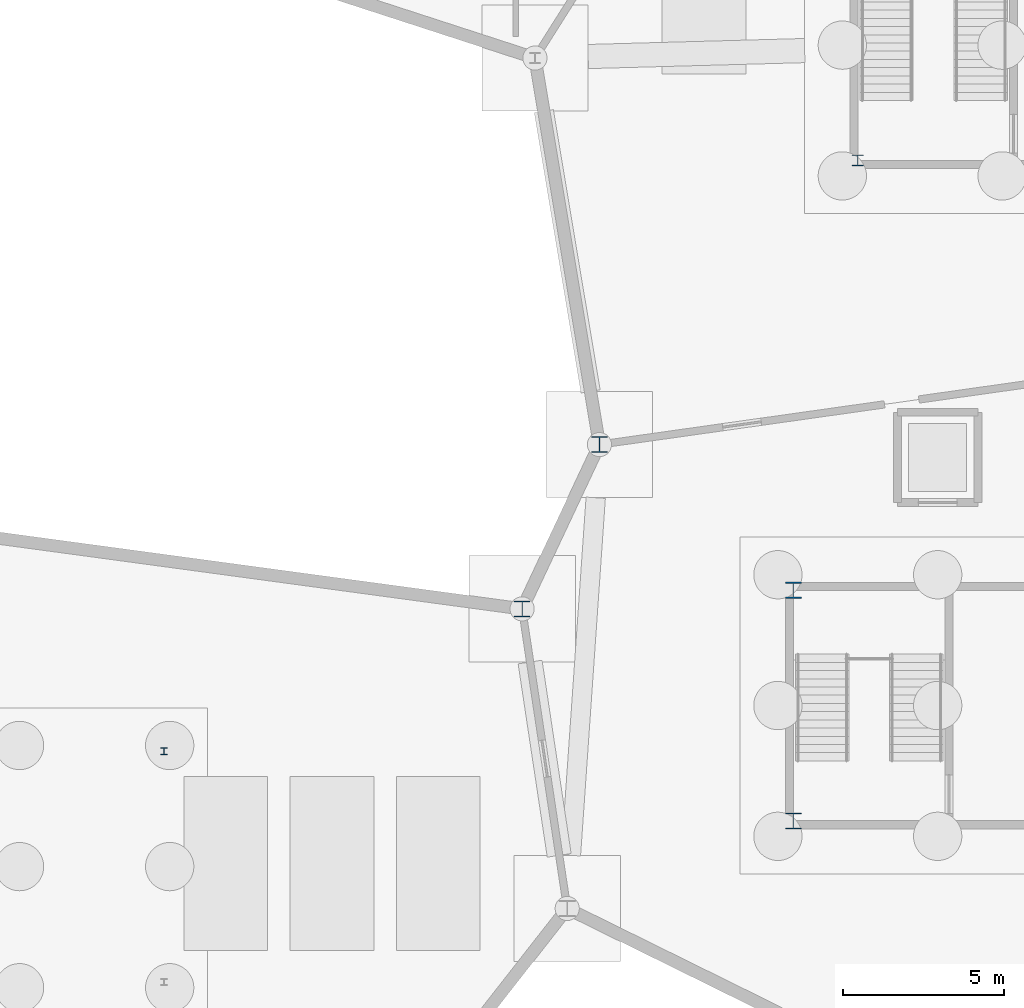
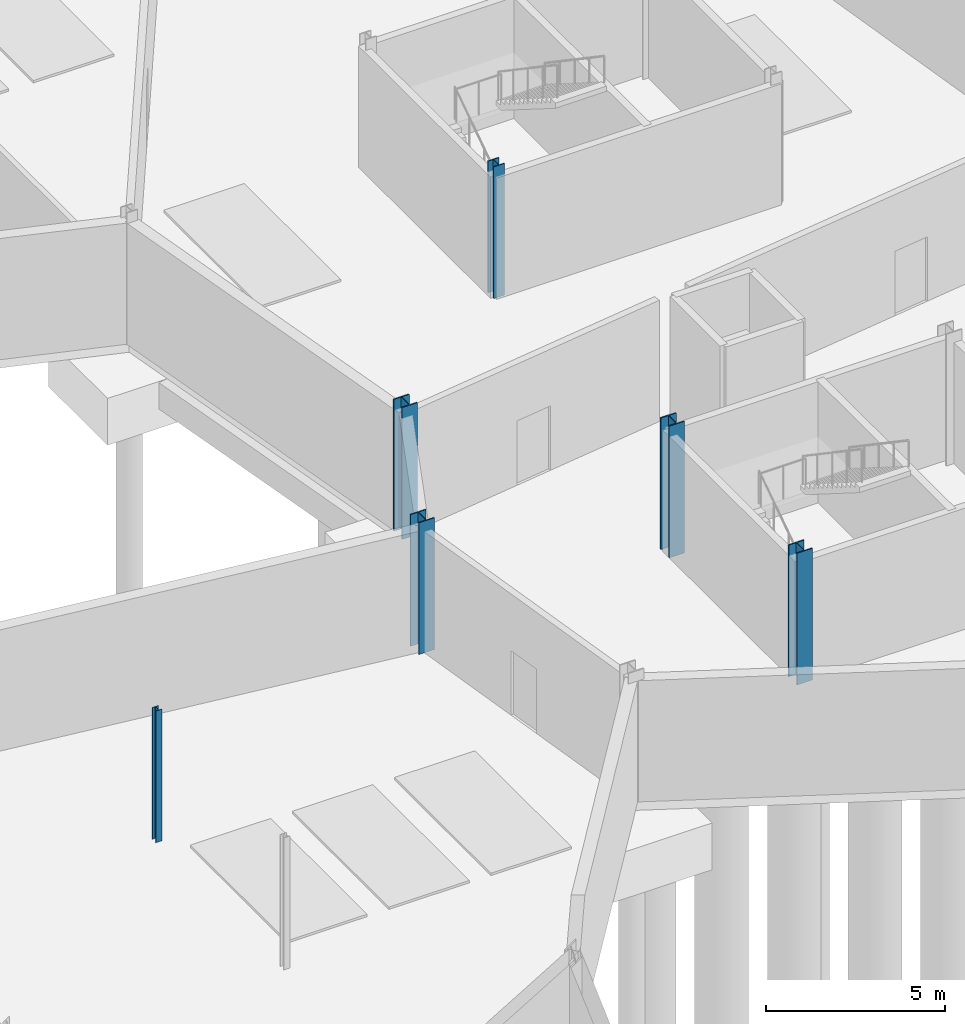
# One storey, part 10 of 37: 6 columns.
"""IFC4 building model written with IfcOpenShell, lengths in metres."""

import ifcopenshell
import ifcopenshell.guid

model = None  # the IFC model being written
_history = None  # IfcOwnerHistory: only IFC2X3 demands one
_inside = {}  # id of a spatial element -> (the spatial element, [elements in it])
_under = {}  # id of a project, library or spatial element -> (it, [spatial elements below it])
_declared = {}  # id of a project -> (the project, [libraries it declares])
_typed = {}  # id of a type object -> (the type object, [elements of that type])
_made_of = {}  # id of a material, layer set ... -> (it, [elements and type objects made of it])


def new_model(schema):
    """Start an empty IFC model of exactly this schema.

    Asked for "IFC4X3", IfcOpenShell would pick the latest addendum, in which some entities
    have other attributes; the version numbers below select the first issue.
    IFC2X3 requires an IfcOwnerHistory on every rooted entity: one is made here for all.
    """
    global model, _history
    if schema == "IFC4X3":
        model = ifcopenshell.file(schema_version=(4, 3, 0, 0))
    else:
        model = ifcopenshell.file(schema=schema)
    _inside.clear()
    _under.clear()
    _declared.clear()
    _typed.clear()
    _made_of.clear()
    _history = None
    if model.schema == "IFC2X3":
        org = make("IfcOrganization", Name="unknown")
        user = make(
            "IfcPersonAndOrganization",
            ThePerson=make("IfcPerson", FamilyName="unknown"),
            TheOrganization=org,
        )
        app = make(
            "IfcApplication",
            ApplicationDeveloper=org,
            Version="unknown",
            ApplicationFullName="unknown",
            ApplicationIdentifier="unknown",
        )
        _history = make(
            "IfcOwnerHistory",
            OwningUser=user,
            OwningApplication=app,
            ChangeAction="ADDED",
            CreationDate=0,
        )
    return model


def make(cls, **values):
    """One entity of the class cls with the attributes given. An attribute that is None is left unset."""
    return model.create_entity(
        cls, **{name: value for name, value in values.items() if value is not None}
    )


def rooted(cls, **values):
    """An entity with a GlobalId (a new one), such as an element, a storey or a relation."""
    return make(cls, GlobalId=ifcopenshell.guid.new(), OwnerHistory=_history, **values)


def si_unit(unit_type, name, prefix=None):
    """IfcSIUnit, for example si_unit("LENGTHUNIT", "METRE", prefix="MILLI")."""
    return make("IfcSIUnit", UnitType=unit_type, Prefix=prefix, Name=name)


def assignment(units):
    """IfcUnitAssignment: the units of a project."""
    return None if units is None else make("IfcUnitAssignment", Units=units)


def point(xyz):
    """IfcCartesianPoint."""
    return None if xyz is None else make("IfcCartesianPoint", Coordinates=xyz)


def direction(xyz):
    """IfcDirection."""
    return None if xyz is None else make("IfcDirection", DirectionRatios=xyz)


def frame(location, z_axis=None, x_axis=None):
    """IfcAxis2Placement3D, a coordinate frame: its origin and axes. An axis left out is left unset."""
    return make(
        "IfcAxis2Placement3D",
        Location=point(location),
        Axis=direction(z_axis),
        RefDirection=direction(x_axis),
    )


def frame_2d(location, x_axis=None):
    """IfcAxis2Placement2D, a coordinate frame in the plane: its origin and x axis."""
    return make(
        "IfcAxis2Placement2D", Location=point(location), RefDirection=direction(x_axis)
    )


def origin():
    """The frame at (0, 0, 0) with its axes left unset."""
    return frame((0.0, 0.0, 0.0))


def origin_2d():
    """The frame at (0, 0) in the plane with its x axis left unset."""
    return frame_2d((0.0, 0.0))


def place(relative_to, where):
    """IfcLocalPlacement: puts the frame where relative to a parent placement (None: the world)."""
    return make(
        "IfcLocalPlacement", PlacementRelTo=relative_to, RelativePlacement=where
    )


def context(
    kind, dimensions, precision=None, world=None, true_north=None, identifier=None
):
    """IfcGeometricRepresentationContext, for example the 3D "Model" context."""
    return make(
        "IfcGeometricRepresentationContext",
        ContextIdentifier=identifier,
        ContextType=kind,
        CoordinateSpaceDimension=dimensions,
        Precision=precision,
        WorldCoordinateSystem=world,
        TrueNorth=true_north,
    )


def subcontext(parent, identifier, kind, view, scale=None):
    """IfcGeometricRepresentationSubContext, for example "Body" below "Model"."""
    return make(
        "IfcGeometricRepresentationSubContext",
        ContextIdentifier=identifier,
        ContextType=kind,
        ParentContext=parent,
        TargetScale=scale,
        TargetView=view,
    )


def project(units=None, contexts=None):
    """IfcProject with its units and contexts."""
    return rooted(
        "IfcProject",
        Name="project",
        RepresentationContexts=contexts,
        UnitsInContext=assignment(units),
    )


def spatial(cls, under=None, at=None, **own):
    """A site, building, storey or space (cls), placed at a placement, below another one or the project."""
    s = rooted(cls, ObjectPlacement=at, **own)
    if under is not None:
        _under.setdefault(under.id(), (under, []))[1].append(s)
    return s


def profile(cls, at=None, kind="AREA", **sizes):
    """A parametric profile (cls). Its sizes go by their IFC names, for example OverallWidth=200.0."""
    return make(cls, ProfileType=kind, Position=at, **sizes)


def i_section(**sizes):
    """IfcIShapeProfileDef."""
    return profile("IfcIShapeProfileDef", **sizes)


def extrude(swept, where, along, depth):
    """IfcExtrudedAreaSolid: the profile swept, set in the frame where, extruded along a direction by depth."""
    return make(
        "IfcExtrudedAreaSolid",
        SweptArea=swept,
        Position=where,
        ExtrudedDirection=direction(along),
        Depth=depth,
    )


def shape(context_of_items, identifier, shape_type, items):
    """IfcShapeRepresentation: the items that make up one representation, for example the "Body"."""
    return make(
        "IfcShapeRepresentation",
        ContextOfItems=context_of_items,
        RepresentationIdentifier=identifier,
        RepresentationType=shape_type,
        Items=items,
    )


def material(Name=None, Category=None):
    """IfcMaterial."""
    return make("IfcMaterial", Name=Name, Category=Category)


def material_profile(
    of_material, cross_section, Name=None, Category=None, Priority=None
):
    """IfcMaterialProfile: a cross section and its material."""
    return make(
        "IfcMaterialProfile",
        Name=Name,
        Material=of_material,
        Profile=cross_section,
        Priority=Priority,
        Category=Category,
    )


def profile_set(profiles, Name=None, composite=None):
    """IfcMaterialProfileSet."""
    return make(
        "IfcMaterialProfileSet",
        Name=Name,
        MaterialProfiles=profiles,
        CompositeProfile=composite,
    )


def made_of(thing, what):
    """Note that an element or type object is made of a material, layer set ...; save() writes the relation."""
    if what is not None:
        _made_of.setdefault(what.id(), (what, []))[1].append(thing)
    return thing


def type_object(cls, material=None, **own):
    """A type object (cls), such as IfcWallType, which elements share."""
    return made_of(rooted(cls, **own), material)


def element(
    cls,
    number,
    at=None,
    inside=None,
    cuts=None,
    type_object=None,
    material=None,
    context=None,
    identifier="Body",
    shape_type=None,
    held_by="IfcProductDefinitionShape",
    body=None,
    shapes=None,
    **own,
):
    """One element of the class cls, such as IfcWall. Its Tag is "e" and its number.

    at: its placement. inside: the storey or other place that contains it. cuts: it is an
    opening in that element (IfcRelVoidsElement). A single representation is given by context,
    identifier, shape_type and body (its items); several are given by shapes. held_by: the class
    of the entity that holds the representations. save() writes the other relations.
    """
    e = rooted(cls, Tag="e%d" % number, ObjectPlacement=at, **own)
    if body is not None:
        shapes = [shape(context, identifier, shape_type, body)]
    if shapes is not None:
        e.Representation = make(held_by, Representations=shapes)
    if inside is not None:
        _inside.setdefault(inside.id(), (inside, []))[1].append(e)
    if cuts is not None:
        rooted(
            "IfcRelVoidsElement", RelatingBuildingElement=cuts, RelatedOpeningElement=e
        )
    if type_object is not None:
        _typed.setdefault(type_object.id(), (type_object, []))[1].append(e)
    return made_of(e, material)


def aggregate(whole, parts):
    """IfcRelAggregates: a whole, such as a stair, and the parts it consists of."""
    return rooted("IfcRelAggregates", RelatingObject=whole, RelatedObjects=parts)


def save(model, path):
    """Write the relations noted so far, then the file.

    IfcRelAggregates (storeys below a building ...), IfcRelContainedInSpatialStructure (elements
    in a storey), IfcRelDefinesByType, IfcRelAssociatesMaterial and IfcRelDeclares: one each for
    every whole, place, type object, material and project.
    """
    for whole, parts in _under.values():
        aggregate(whole, parts)
    for where, things in _inside.values():
        rooted(
            "IfcRelContainedInSpatialStructure",
            RelatedElements=things,
            RelatingStructure=where,
        )
    for kind, things in _typed.values():
        rooted("IfcRelDefinesByType", RelatedObjects=things, RelatingType=kind)
    for what, things in _made_of.values():
        rooted("IfcRelAssociatesMaterial", RelatedObjects=things, RelatingMaterial=what)
    for by, libraries in _declared.values():
        rooted("IfcRelDeclares", RelatingContext=by, RelatedDefinitions=libraries)
    model.write(path)


model = new_model("IFC4")

# Units and contexts
model_context = context("Model", 3, precision=1e-05, world=origin(), true_north=direction((0.0, 1.0)))
body_context = subcontext(model_context, "Body", "Model", "MODEL_VIEW")
ifc_project = project(units=[si_unit("LENGTHUNIT", "METRE"), si_unit("AREAUNIT", "SQUARE_METRE"), si_unit("VOLUMEUNIT", "CUBIC_METRE"), si_unit("PLANEANGLEUNIT", "RADIAN"), si_unit("MASSUNIT", "GRAM", prefix="KILO")], contexts=[model_context])

# Site, building, storey
site_placement = place(None, origin())
site = spatial("IfcSite", under=ifc_project, at=site_placement, CompositionType="ELEMENT")
building_placement = place(site_placement, origin())
building = spatial("IfcBuilding", under=site, at=building_placement, Name="Tameran Prism Museum", CompositionType="ELEMENT")
storey_placement = place(building_placement, frame((0.0, 0.0, -4.5)))
storey = spatial("IfcBuildingStorey", under=building, at=storey_placement, Name="B1", CompositionType="ELEMENT", Elevation=-4.5)

# Columns
ifc_material_1 = material(Name="Steel Grade 300PLUS (300 MPa)", Category="steel")
ifc_material_profile_1 = material_profile(ifc_material_1, i_section(OverallWidth=0.205078125, OverallDepth=0.2099609375, WebThickness=0.00927734375, FlangeThickness=0.01416015625, FilletRadius=0.01025390625, at=origin_2d()))
ifc_profile_set_1 = profile_set([ifc_material_profile_1])
column_type_1 = type_object("IfcColumnType", Name="COL-UC200", PredefinedType="COLUMN", material=ifc_profile_set_1)
column_1_placement = place(storey_placement, frame((38.47998046875, 35.080078125, 0.0), z_axis=(0.0, 0.0, 1.0), x_axis=(1.0, 0.0, 0.0)))
element("IfcColumn", 1, at=column_1_placement, inside=storey, type_object=column_type_1, Name="Column CC-12-3 B1", PredefinedType="COLUMN", context=body_context, shape_type="SweptSolid", body=[
    extrude(i_section(OverallWidth=0.205078125, OverallDepth=0.2099609375, WebThickness=0.00927734375, FlangeThickness=0.01416015625, FilletRadius=0.01025390625, at=origin_2d()), origin(), (0.0, 0.0, 1.0), 4.5),
])
ifc_material_2 = material(Name="Steel Grade 350 (350 MPa)", Category="steel")
ifc_material_profile_2 = material_profile(ifc_material_2, i_section(OverallWidth=0.35009765625, OverallDepth=0.35009765625, WebThickness=0.02001953125, FlangeThickness=0.028076171875, at=origin_2d()))
ifc_profile_set_2 = profile_set([ifc_material_profile_2])
column_type_2 = type_object("IfcColumnType", Name="COL-WC350", PredefinedType="COLUMN", material=ifc_profile_set_2)
column_2_placement = place(storey_placement, frame((60.02001953125, 53.419921875, 0.0), z_axis=(0.0, 0.0, 1.0), x_axis=(1.0, 0.0, 0.0)))
element("IfcColumn", 2, at=column_2_placement, inside=storey, type_object=column_type_2, Name="Column CC-8-1 B1", PredefinedType="COLUMN", context=body_context, shape_type="SweptSolid", body=[
    extrude(i_section(OverallWidth=0.35009765625, OverallDepth=0.35009765625, WebThickness=0.02001953125, FlangeThickness=0.028076171875, at=origin_2d()), origin(), (0.0, 0.0, 1.0), 4.5),
])
ifc_material_3 = material(Name="Steel Grade 350 (350 MPa)", Category="steel")
ifc_material_profile_3 = material_profile(ifc_material_3, i_section(OverallWidth=0.5, OverallDepth=0.5, WebThickness=0.02197265625, FlangeThickness=0.035888671875, at=origin_2d()))
ifc_profile_set_3 = profile_set([ifc_material_profile_3])
column_type_3 = type_object("IfcColumnType", Name="COL-WC500", PredefinedType="COLUMN", material=ifc_profile_set_3)
for number, where, z_axis, x_axis, name in (
    (3, (49.60009765625, 39.5, 0.0), (0.0, 0.0, 1.0), (1.0, 0.0, 0.0), "Column CV-25 B1"),
    (4, (52.0, 44.60009765625, 0.0), (0.0, 0.0, 1.0), (1.0, 0.0, 0.0), "Column CV-28 B1"),
    (5, (58.02001953125, 32.919921875, 0.0), (0.0, 0.0, 1.0), (1.0, 0.0, 0.0), "Column CC-3-1 B1"),
    (6, (58.02001953125, 40.080078125, 0.0), (0.0, 0.0, 1.0), (1.0, 0.0, 0.0), "Column CC-3-4 B1"),
):
    element("IfcColumn", number, at=place(storey_placement, frame(where, z_axis=z_axis, x_axis=x_axis)), inside=storey, type_object=column_type_3, Name=name, PredefinedType="COLUMN", context=body_context, shape_type="SweptSolid", body=[
        extrude(i_section(OverallWidth=0.5, OverallDepth=0.5, WebThickness=0.02197265625, FlangeThickness=0.035888671875, at=origin_2d()), origin(), (0.0, 0.0, 1.0), 4.5),
    ])

save(model, "model.ifc")
